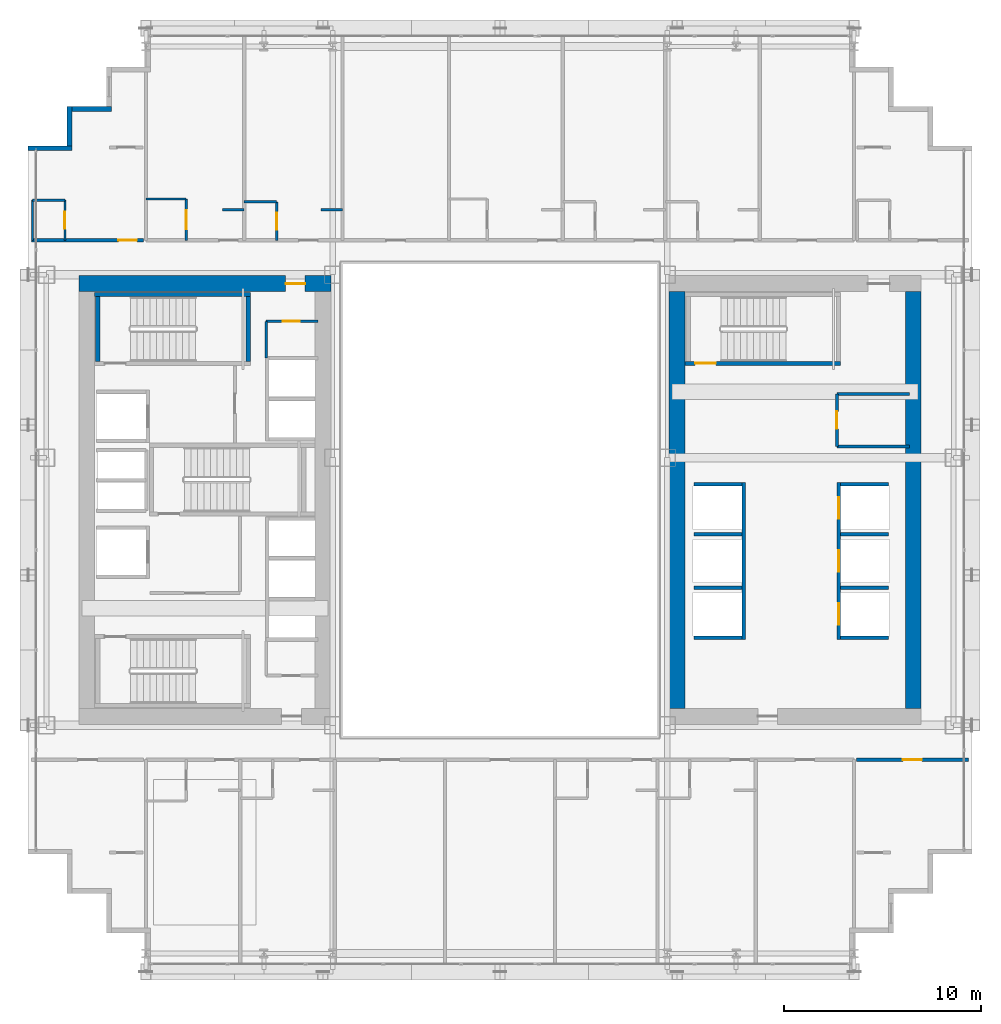
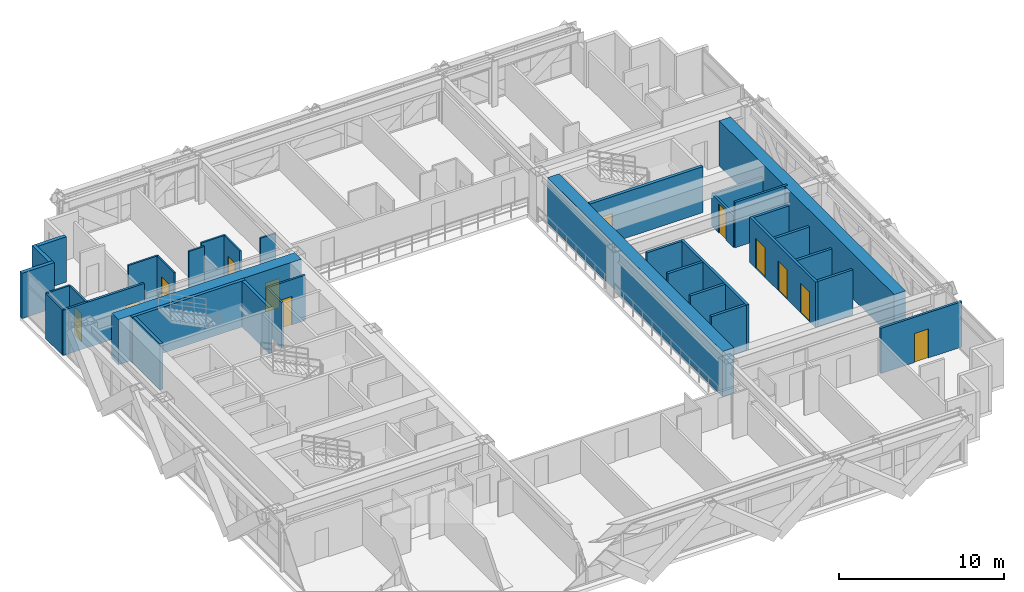
# One storey, part 32 of 38: 36 walls, 12 doors, 12 openings.
"""IFC4 building model written with IfcOpenShell, lengths in metres."""

from ifc_helpers import new_model, si_unit, direction, frame, frame_2d, origin, place, context, subcontext, project, spatial, rectangle, extrude, source, transform, mapped, material, layer, layer_set, type_object, element, fill, save


model = new_model("IFC4")

# Units and contexts
model_context = context("Model", 3, precision=1e-05, world=origin(), true_north=direction((0.0, 1.0)))
body_context = subcontext(model_context, "Body", "Model", "MODEL_VIEW")
ifc_project = project(units=[si_unit("LENGTHUNIT", "METRE"), si_unit("AREAUNIT", "SQUARE_METRE"), si_unit("VOLUMEUNIT", "CUBIC_METRE"), si_unit("PLANEANGLEUNIT", "RADIAN"), si_unit("MASSUNIT", "GRAM", prefix="KILO")], contexts=[model_context])

# Site, building, storey
site_placement = place(None, origin())
site = spatial("IfcSite", under=ifc_project, at=site_placement, CompositionType="ELEMENT")
building_placement = place(site_placement, origin())
building = spatial("IfcBuilding", under=site, at=building_placement, Name="Ocotamira Hotel", CompositionType="ELEMENT")
storey_placement = place(building_placement, frame((0.0, 0.0, 74.39990234375)))
storey = spatial("IfcBuildingStorey", under=building, at=storey_placement, Name="L18", CompositionType="ELEMENT", Elevation=74.39990234375)

# Wall, opening, door
ifc_material_1 = material(Name="Concrete C60/75", Category="concrete")
ifc_layer_1 = layer(ifc_material_1, 0.800048828125)
ifc_layer_set_1 = layer_set([ifc_layer_1], Name="Concrete C60/75")
wall_type_1 = type_object("IfcWallType", Name="WL-CORE-800", PredefinedType="SHEAR", material=ifc_layer_set_1)
wall_1_placement = place(storey_placement, frame((10.60009765625, 37.0, 0.0), z_axis=(0.0, 0.0, 1.0), x_axis=(1.0, 0.0, 0.0)))
wall_1 = element("IfcWall", 1, at=wall_1_placement, inside=storey, type_object=wall_type_1, Name="L18 Shear Core Wall WCORE-N", PredefinedType="SHEAR", context=body_context, shape_type="SweptSolid", body=[
    extrude(rectangle(XDim=12.7998046875, YDim=0.800048828125, at=frame_2d((6.39990234375, 0.0))), origin(), (0.0, 0.0, 1.0), 3.35009765625),
])
opening_1_placement = place(wall_1_placement, frame((10.5, 0.0, 0.0)))
opening_1 = element("IfcOpeningElement", 2, at=opening_1_placement, cuts=wall_1, Name="Opening D-FR2", PredefinedType="OPENING", context=body_context, shape_type="SweptSolid", body=[
    extrude(rectangle(XDim=1.0, YDim=2.14990234375, at=frame_2d((0.5, 1.074951171875))), frame((0.0, 0.41015625, 0.0), z_axis=(0.0, -1.0, 0.0), x_axis=(1.0, 0.0, 0.0)), (0.0, 0.0, 1.0), 0.820068359375),
])
ifc_material_2 = material(Name="Fire-rated acoustic timber-veneer door", Category="wood")
door_type_1 = type_object("IfcDoorType", Name="DR-FIRE-1000", OperationType="NOTDEFINED", PredefinedType="DOOR", material=ifc_material_2)
shared_shape_1 = source(origin(), body_context, "Body", "SweptSolid", [
    extrude(rectangle(XDim=1.0, YDim=2.14990234375, at=frame_2d((0.5, 1.074951171875))), frame((0.0, 0.02490234375, 0.0), z_axis=(0.0, -1.0, 0.0), x_axis=(1.0, 0.0, 0.0)), (0.0, 0.0, 1.0), 0.050048828125),
])
door_1_placement = place(opening_1_placement, origin())
door_1 = element("IfcDoor", 3, at=door_1_placement, inside=storey, type_object=door_type_1, Name="L18 Door ID-L18-WLOB-N-D [ID-L18-WLOB-N-D]", OperationType="SINGLE_SWING_RIGHT", OverallHeight=2.14990234375, OverallWidth=1.0, PredefinedType="DOOR", context=body_context, shape_type="MappedRepresentation", body=[
    mapped(shared_shape_1, transform((0.0, 0.0, 0.0), scale=1.0)),
])
fill(opening_1, door_1)

# Walls
for number, where, z_axis, x_axis, name in (
    (4, (41.0, 15.39990234375, 0.0), (0.0, 0.0, 1.0), (0.0, 1.0, 0.0), "L18 Shear Core Wall ECORE-W"),
    (5, (53.0, 15.39990234375, 0.0), (0.0, 0.0, 1.0), (0.0, 1.0, 0.0), "L18 Shear Core Wall ECORE-E"),
):
    element("IfcWall", number, at=place(storey_placement, frame(where, z_axis=z_axis, x_axis=x_axis)), inside=storey, type_object=wall_type_1, Name=name, PredefinedType="SHEAR", context=body_context, shape_type="SweptSolid", body=[
        extrude(rectangle(XDim=21.2001953125, YDim=0.800048828125, at=frame_2d((10.60009765625, 0.0))), origin(), (0.0, 0.0, 1.0), 3.35009765625),
    ])
ifc_material_3 = material(Name="Precast concrete C45/55", Category="concrete")
ifc_layer_2 = layer(ifc_material_3, 0.25)
ifc_layer_set_2 = layer_set([ifc_layer_2], Name="Precast concrete C45/55")
wall_type_2 = type_object("IfcWallType", Name="WL-EXT-SER-250", PredefinedType="SOLIDWALL", material=ifc_layer_set_2)
for number, where, z_axis, x_axis, name in (
    (6, (12.25, 45.875, 0.0), (0.0, 0.0, 1.0), (-1.0, 0.0, 0.0), "L18 Serrated Corner Wall 16"),
    (7, (10.125, 46.0, 0.0), (0.0, 0.0, 1.0), (0.0, -1.0, 0.0), "L18 Serrated Corner Wall 17"),
):
    element("IfcWall", number, at=place(storey_placement, frame(where, z_axis=z_axis, x_axis=x_axis)), inside=storey, type_object=wall_type_2, Name=name, PredefinedType="SOLIDWALL", context=body_context, shape_type="SweptSolid", body=[
        extrude(rectangle(XDim=2.0, YDim=0.25, at=frame_2d((1.0, 0.0))), origin(), (0.0, 0.0, 1.0), 3.35009765625),
    ])
wall_2_placement = place(storey_placement, frame((10.25, 43.875, 0.0), z_axis=(0.0, 0.0, 1.0), x_axis=(-1.0, 0.0, 0.0)))
element("IfcWall", 8, at=wall_2_placement, inside=storey, type_object=wall_type_2, Name="L18 Serrated Corner Wall 18", PredefinedType="SOLIDWALL", context=body_context, shape_type="SweptSolid", body=[
    extrude(rectangle(XDim=2.25, YDim=0.25, at=frame_2d((1.125, 0.0))), origin(), (0.0, 0.0, 1.0), 3.35009765625),
])
ifc_material_4 = material(Name="Acoustic double-layer fire gypsum board partition", Category="gypsum")
ifc_layer_3 = layer(ifc_material_4, 0.159912109375)
ifc_layer_set_3 = layer_set([ifc_layer_3], Name="Acoustic double-layer fire gypsum board partition")
wall_type_3 = type_object("IfcWallType", Name="WL-FIRE-160", PredefinedType="PARTITIONING", material=ifc_layer_set_3)
wall_3_placement = place(storey_placement, frame((49.1201171875, 28.719970703125, 0.0), z_axis=(0.0, 0.0, 1.0), x_axis=(1.0, 0.0, 0.0)))
element("IfcWall", 9, at=wall_3_placement, inside=storey, type_object=wall_type_3, Name="L18 Interior Wall PW-L18-EC-NEC-S", PredefinedType="PARTITIONING", context=body_context, shape_type="SweptSolid", body=[
    extrude(rectangle(XDim=3.679931640625, YDim=0.159912109375, at=frame_2d((1.83984375, 0.0))), origin(), (0.0, 0.0, 1.0), 3.35009765625),
])
wall_4_placement = place(storey_placement, frame((49.1201171875, 31.3798828125, 0.0), z_axis=(0.0, 0.0, 1.0), x_axis=(1.0, 0.0, 0.0)))
element("IfcWall", 10, at=wall_4_placement, inside=storey, type_object=wall_type_3, Name="L18 Interior Wall PW-L18-EC-NEC-N", PredefinedType="PARTITIONING", context=body_context, shape_type="SweptSolid", body=[
    extrude(rectangle(XDim=3.679931640625, YDim=0.159912109375, at=frame_2d((1.83984375, 0.0))), origin(), (0.0, 0.0, 1.0), 2.360107421875),
])

# Wall, opening, door
wall_5_placement = place(storey_placement, frame((49.1201171875, 28.719970703125, 0.0), z_axis=(0.0, 0.0, 1.0), x_axis=(0.0, 1.0, 0.0)))
wall_5 = element("IfcWall", 11, at=wall_5_placement, inside=storey, type_object=wall_type_3, Name="L18 Interior Wall PW-L18-EC-NEC-W", PredefinedType="PARTITIONING", context=body_context, shape_type="SweptSolid", body=[
    extrude(rectangle(XDim=2.659912109375, YDim=0.159912109375, at=frame_2d((1.330078125, 0.0))), origin(), (0.0, 0.0, 1.0), 2.360107421875),
])
opening_2_placement = place(wall_5_placement, frame((0.89990234375, 0.0, 0.0)))
opening_2 = element("IfcOpeningElement", 12, at=opening_2_placement, cuts=wall_5, Name="Opening D-SV2", PredefinedType="OPENING", context=body_context, shape_type="SweptSolid", body=[
    extrude(rectangle(XDim=0.8798828125, YDim=2.14990234375, at=frame_2d((0.43994140625, 1.074951171875))), frame((0.0, 0.08984375, 0.0), z_axis=(0.0, -1.0, 0.0), x_axis=(1.0, 0.0, 0.0)), (0.0, 0.0, 1.0), 0.179931640625),
])
ifc_material_5 = material(Name="Fire-rated painted steel service door", Category="steel")
door_type_2 = type_object("IfcDoorType", Name="DR-SERV-880", OperationType="NOTDEFINED", PredefinedType="DOOR", material=ifc_material_5)
shared_shape_2 = source(origin(), body_context, "Body", "SweptSolid", [
    extrude(rectangle(XDim=0.8798828125, YDim=2.14990234375, at=frame_2d((0.43994140625, 1.074951171875))), frame((0.0, 0.02490234375, 0.0), z_axis=(0.0, -1.0, 0.0), x_axis=(1.0, 0.0, 0.0)), (0.0, 0.0, 1.0), 0.050048828125),
])
door_2_placement = place(opening_2_placement, origin())
door_2 = element("IfcDoor", 13, at=door_2_placement, inside=storey, type_object=door_type_2, Name="L18 Door ID-L18-EC-NEC-D [ID-L18-EC-NEC-D]", OperationType="SINGLE_SWING_LEFT", OverallHeight=2.14990234375, OverallWidth=0.8798828125, PredefinedType="DOOR", context=body_context, shape_type="MappedRepresentation", body=[
    mapped(shared_shape_2, transform((0.0, 0.0, 0.0), scale=1.0)),
])
fill(opening_2, door_2)

wall_6_placement = place(storey_placement, frame((50.1201171875, 12.800048828125, 0.0), z_axis=(0.0, 0.0, 1.0), x_axis=(1.0, 0.0, 0.0)))
wall_6 = element("IfcWall", 14, at=wall_6_placement, inside=storey, type_object=wall_type_3, Name="L18 Interior Wall PW-L18-Z1D-CSE-CW", PredefinedType="PARTITIONING", context=body_context, shape_type="SweptSolid", body=[
    extrude(rectangle(XDim=5.679931640625, YDim=0.159912109375, at=frame_2d((2.83984375, 0.0))), origin(), (0.0, 0.0, 1.0), 3.35009765625),
])
opening_3_placement = place(wall_6_placement, frame((2.360107421875, 0.0, 0.0)))
opening_3 = element("IfcOpeningElement", 15, at=opening_3_placement, cuts=wall_6, Name="Opening D-SV4", PredefinedType="OPENING", context=body_context, shape_type="SweptSolid", body=[
    extrude(rectangle(XDim=0.9599609375, YDim=2.14990234375, at=frame_2d((0.47998046875, 1.074951171875))), frame((0.0, 0.08984375, 0.0), z_axis=(0.0, -1.0, 0.0), x_axis=(1.0, 0.0, 0.0)), (0.0, 0.0, 1.0), 0.179931640625),
])
ifc_material_6 = material(Name="Fire-rated accessible walnut salon door", Category="wood")
door_type_3 = type_object("IfcDoorType", Name="DR-SERV-960", OperationType="NOTDEFINED", PredefinedType="DOOR", material=ifc_material_6)
shared_shape_3 = source(origin(), body_context, "Body", "SweptSolid", [
    extrude(rectangle(XDim=0.9599609375, YDim=2.14990234375, at=frame_2d((0.47998046875, 1.074951171875))), frame((0.0, 0.02490234375, 0.0), z_axis=(0.0, -1.0, 0.0), x_axis=(1.0, 0.0, 0.0)), (0.0, 0.0, 1.0), 0.050048828125),
])
door_3_placement = place(opening_3_placement, origin())
door_3 = element("IfcDoor", 16, at=door_3_placement, inside=storey, type_object=door_type_3, Name="L18 Door ID-L18-Z1D-CSE-CD [ID-L18-Z1D-CSE-CD]", OperationType="SINGLE_SWING_LEFT", OverallHeight=2.14990234375, OverallWidth=0.9599609375, PredefinedType="DOOR", context=body_context, shape_type="MappedRepresentation", body=[
    mapped(shared_shape_3, transform((0.0, 0.0, 0.0), scale=1.0)),
])
fill(opening_3, door_3)

wall_7_placement = place(storey_placement, frame((8.199951171875, 39.199951171875, 0.0), z_axis=(0.0, 0.0, 1.0), x_axis=(1.0, 0.0, 0.0)))
wall_7 = element("IfcWall", 17, at=wall_7_placement, inside=storey, type_object=wall_type_3, Name="L18 Interior Wall PW-L18-Z1D-CNW-CW", PredefinedType="PARTITIONING", context=body_context, shape_type="SweptSolid", body=[
    extrude(rectangle(XDim=5.679931640625, YDim=0.159912109375, at=frame_2d((2.83984375, 0.0))), origin(), (0.0, 0.0, 1.0), 3.35009765625),
])
opening_4_placement = place(wall_7_placement, frame((4.39990234375, 0.0, 0.0)))
opening_4 = element("IfcOpeningElement", 18, at=opening_4_placement, cuts=wall_7, Name="Opening D-GR1", PredefinedType="OPENING", context=body_context, shape_type="SweptSolid", body=[
    extrude(rectangle(XDim=0.93994140625, YDim=2.14990234375, at=frame_2d((0.469970703125, 1.074951171875))), frame((0.0, 0.08984375, 0.0), z_axis=(0.0, -1.0, 0.0), x_axis=(1.0, 0.0, 0.0)), (0.0, 0.0, 1.0), 0.179931640625),
])
ifc_material_7 = material(Name="Solid-core walnut suite entrance fire door", Category="wood")
door_type_4 = type_object("IfcDoorType", Name="DR-GUEST-940", OperationType="NOTDEFINED", PredefinedType="DOOR", material=ifc_material_7)
shared_shape_4 = source(origin(), body_context, "Body", "SweptSolid", [
    extrude(rectangle(XDim=0.93994140625, YDim=2.14990234375, at=frame_2d((0.469970703125, 1.074951171875))), frame((0.0, 0.02490234375, 0.0), z_axis=(0.0, -1.0, 0.0), x_axis=(1.0, 0.0, 0.0)), (0.0, 0.0, 1.0), 0.050048828125),
])
door_4_placement = place(opening_4_placement, origin())
door_4 = element("IfcDoor", 19, at=door_4_placement, inside=storey, type_object=door_type_4, Name="L18 Door ID-L18-Z1D-CNW-CD [ID-L18-Z1D-CNW-CD]", OperationType="SINGLE_SWING_RIGHT", OverallHeight=2.14990234375, OverallWidth=0.93994140625, PredefinedType="DOOR", context=body_context, shape_type="MappedRepresentation", body=[
    mapped(shared_shape_4, transform((0.0, 0.0, 0.0), scale=1.0)),
])
fill(opening_4, door_4)

ifc_material_8 = material(Name="Moisture-resistant en-suite tile and gypsum partition", Category="gypsum")
ifc_layer_4 = layer(ifc_material_8, 0.1201171875)
ifc_layer_set_4 = layer_set([ifc_layer_4], Name="Moisture-resistant en-suite tile and gypsum partition")
wall_type_4 = type_object("IfcWallType", Name="WL-PART-120", PredefinedType="PARTITIONING", material=ifc_layer_set_4)
wall_8_placement = place(storey_placement, frame((9.889892578125, 39.199951171875, 0.0), z_axis=(0.0, 0.0, 1.0), x_axis=(0.0, 1.0, 0.0)))
wall_8 = element("IfcWall", 20, at=wall_8_placement, inside=storey, type_object=wall_type_4, Name="L18 Interior Wall PW-L18-Z1D-CNW-BE", PredefinedType="PARTITIONING", context=body_context, shape_type="SweptSolid", body=[
    extrude(rectangle(XDim=2.0400390625, YDim=0.1201171875, at=frame_2d((1.02001953125, 0.0))), origin(), (0.0, 0.0, 1.0), 3.35009765625),
])
opening_5_placement = place(wall_8_placement, frame((0.590087890625, 0.0, 0.0)))
opening_5 = element("IfcOpeningElement", 21, at=opening_5_placement, cuts=wall_8, Name="Opening D-BA1", PredefinedType="OPENING", context=body_context, shape_type="SweptSolid", body=[
    extrude(rectangle(XDim=0.860107421875, YDim=2.10009765625, at=frame_2d((0.43017578125, 1.050048828125))), frame((0.0, 0.070068359375, 0.0), z_axis=(0.0, -1.0, 0.0), x_axis=(1.0, 0.0, 0.0)), (0.0, 0.0, 1.0), 0.14013671875),
])
ifc_material_9 = material(Name="Moisture-sealed en-suite timber door", Category="wood")
door_type_5 = type_object("IfcDoorType", Name="DR-BATH-860", OperationType="NOTDEFINED", PredefinedType="DOOR", material=ifc_material_9)
shared_shape_5 = source(origin(), body_context, "Body", "SweptSolid", [
    extrude(rectangle(XDim=0.860107421875, YDim=2.10009765625, at=frame_2d((0.43017578125, 1.050048828125))), frame((0.0, 0.02490234375, 0.0), z_axis=(0.0, -1.0, 0.0), x_axis=(1.0, 0.0, 0.0)), (0.0, 0.0, 1.0), 0.050048828125),
])
door_5_placement = place(opening_5_placement, origin())
door_5 = element("IfcDoor", 22, at=door_5_placement, inside=storey, type_object=door_type_5, Name="L18 Door ID-L18-Z1D-CNW-BD [ID-L18-Z1D-CNW-BD]", OperationType="SINGLE_SWING_LEFT", OverallHeight=2.10009765625, OverallWidth=0.860107421875, PredefinedType="DOOR", context=body_context, shape_type="MappedRepresentation", body=[
    mapped(shared_shape_5, transform((0.0, 0.0, 0.0), scale=1.0)),
])
fill(opening_5, door_5)

# Walls
wall_9_placement = place(storey_placement, frame((8.239990234375, 39.199951171875, 0.0), z_axis=(0.0, 0.0, 1.0), x_axis=(0.0, 1.0, 0.0)))
element("IfcWall", 23, at=wall_9_placement, inside=storey, type_object=wall_type_4, Name="L18 Interior Wall PW-L18-Z1D-CNW-BW", PredefinedType="PARTITIONING", context=body_context, shape_type="SweptSolid", body=[
    extrude(rectangle(XDim=2.0400390625, YDim=0.1201171875, at=frame_2d((1.02001953125, 0.0))), origin(), (0.0, 0.0, 1.0), 3.35009765625),
])
wall_10_placement = place(storey_placement, frame((8.239990234375, 41.239990234375, 0.0), z_axis=(0.0, 0.0, 1.0), x_axis=(1.0, 0.0, 0.0)))
element("IfcWall", 24, at=wall_10_placement, inside=storey, type_object=wall_type_4, Name="L18 Interior Wall PW-L18-Z1D-CNW-BH", PredefinedType="PARTITIONING", context=body_context, shape_type="SweptSolid", body=[
    extrude(rectangle(XDim=1.64990234375, YDim=0.1201171875, at=frame_2d((0.824951171875, 0.0))), origin(), (0.0, 0.0, 1.0), 3.35009765625),
])

# Wall, opening, door
wall_11_placement = place(storey_placement, frame((16.050048828125, 39.199951171875, 0.0), z_axis=(0.0, 0.0, 1.0), x_axis=(0.0, 1.0, 0.0)))
wall_11 = element("IfcWall", 25, at=wall_11_placement, inside=storey, type_object=wall_type_4, Name="L18 Interior Wall PW-L18-Z1DN-BAE1", PredefinedType="PARTITIONING", context=body_context, shape_type="SweptSolid", body=[
    extrude(rectangle(XDim=2.10009765625, YDim=0.1201171875, at=frame_2d((1.050048828125, 0.0))), origin(), (0.0, 0.0, 1.0), 3.35009765625),
])
opening_6_placement = place(wall_11_placement, frame((0.570068359375, 0.0, 0.0)))
opening_6 = element("IfcOpeningElement", 26, at=opening_6_placement, cuts=wall_11, Name="Opening D-IN1", PredefinedType="OPENING", context=body_context, shape_type="SweptSolid", body=[
    extrude(rectangle(XDim=0.9599609375, YDim=2.14990234375, at=frame_2d((0.47998046875, 1.074951171875))), frame((0.0, 0.070068359375, 0.0), z_axis=(0.0, -1.0, 0.0), x_axis=(1.0, 0.0, 0.0)), (0.0, 0.0, 1.0), 0.14013671875),
])
ifc_material_10 = material(Name="Accessible walnut interior room door", Category="wood")
door_type_6 = type_object("IfcDoorType", Name="DR-INT-960", OperationType="NOTDEFINED", PredefinedType="DOOR", material=ifc_material_10)
door_6_placement = place(opening_6_placement, origin())
door_6 = element("IfcDoor", 27, at=door_6_placement, inside=storey, type_object=door_type_6, Name="L18 Door ID-L18-Z1DN-BAD1 [ID-L18-Z1DN-BAD1]", OperationType="SINGLE_SWING_RIGHT", OverallHeight=2.14990234375, OverallWidth=0.9599609375, PredefinedType="DOOR", context=body_context, shape_type="MappedRepresentation", body=[
    mapped(shared_shape_3, transform((0.0, 0.0, 0.0), scale=1.0)),
])
fill(opening_6, door_6)

# Walls
wall_12_placement = place(storey_placement, frame((14.0, 41.300048828125, 0.0), z_axis=(0.0, 0.0, 1.0), x_axis=(1.0, 0.0, 0.0)))
element("IfcWall", 28, at=wall_12_placement, inside=storey, type_object=wall_type_4, Name="L18 Interior Wall PW-L18-Z1DN-BAN1", PredefinedType="PARTITIONING", context=body_context, shape_type="SweptSolid", body=[
    extrude(rectangle(XDim=2.050048828125, YDim=0.1201171875, at=frame_2d((1.02490234375, 0.0))), origin(), (0.0, 0.0, 1.0), 3.35009765625),
])
wall_13_placement = place(storey_placement, frame((17.89990234375, 40.75, 0.0), z_axis=(0.0, 0.0, 1.0), x_axis=(1.0, 0.0, 0.0)))
element("IfcWall", 29, at=wall_13_placement, inside=storey, type_object=wall_type_4, Name="L18 Interior Wall PW-L18-Z1DN-DRN1", PredefinedType="PARTITIONING", context=body_context, shape_type="SweptSolid", body=[
    extrude(rectangle(XDim=1.10009765625, YDim=0.1201171875, at=frame_2d((0.550048828125, 0.0))), origin(), (0.0, 0.0, 1.0), 3.35009765625),
])

# Wall, opening, door
wall_14_placement = place(storey_placement, frame((20.64990234375, 39.199951171875, 0.0), z_axis=(0.0, 0.0, 1.0), x_axis=(0.0, 1.0, 0.0)))
wall_14 = element("IfcWall", 30, at=wall_14_placement, inside=storey, type_object=wall_type_4, Name="L18 Interior Wall PW-L18-Z1DN-BAE2", PredefinedType="PARTITIONING", context=body_context, shape_type="SweptSolid", body=[
    extrude(rectangle(XDim=1.949951171875, YDim=0.1201171875, at=frame_2d((0.97509765625, 0.0))), origin(), (0.0, 0.0, 1.0), 3.35009765625),
])
opening_7_placement = place(wall_14_placement, frame((0.544921875, 0.0, 0.0)))
opening_7 = element("IfcOpeningElement", 31, at=opening_7_placement, cuts=wall_14, Name="Opening D-BA1", PredefinedType="OPENING", context=body_context, shape_type="SweptSolid", body=[
    extrude(rectangle(XDim=0.860107421875, YDim=2.10009765625, at=frame_2d((0.43017578125, 1.050048828125))), frame((0.0, 0.070068359375, 0.0), z_axis=(0.0, -1.0, 0.0), x_axis=(1.0, 0.0, 0.0)), (0.0, 0.0, 1.0), 0.14013671875),
])
door_7_placement = place(opening_7_placement, origin())
door_7 = element("IfcDoor", 32, at=door_7_placement, inside=storey, type_object=door_type_5, Name="L18 Door ID-L18-Z1DN-BAD2 [ID-L18-Z1DN-BAD2]", OperationType="SINGLE_SWING_LEFT", OverallHeight=2.10009765625, OverallWidth=0.860107421875, PredefinedType="DOOR", context=body_context, shape_type="MappedRepresentation", body=[
    mapped(shared_shape_5, transform((0.0, 0.0, 0.0), scale=1.0)),
])
fill(opening_7, door_7)

# Walls
wall_15_placement = place(storey_placement, frame((19.0, 41.14990234375, 0.0), z_axis=(0.0, 0.0, 1.0), x_axis=(1.0, 0.0, 0.0)))
element("IfcWall", 33, at=wall_15_placement, inside=storey, type_object=wall_type_4, Name="L18 Interior Wall PW-L18-Z1DN-BAN2", PredefinedType="PARTITIONING", context=body_context, shape_type="SweptSolid", body=[
    extrude(rectangle(XDim=1.64990234375, YDim=0.1201171875, at=frame_2d((0.824951171875, 0.0))), origin(), (0.0, 0.0, 1.0), 3.35009765625),
])
wall_16_placement = place(storey_placement, frame((22.89990234375, 40.75, 0.0), z_axis=(0.0, 0.0, 1.0), x_axis=(1.0, 0.0, 0.0)))
element("IfcWall", 34, at=wall_16_placement, inside=storey, type_object=wall_type_4, Name="L18 Interior Wall PW-L18-Z1DN-DRN2", PredefinedType="PARTITIONING", context=body_context, shape_type="SweptSolid", body=[
    extrude(rectangle(XDim=1.10009765625, YDim=0.1201171875, at=frame_2d((0.550048828125, 0.0))), origin(), (0.0, 0.0, 1.0), 2.571044921875),
])
ifc_material_11 = material(Name="Acoustic hospitality gypsum board partition", Category="gypsum")
ifc_layer_5 = layer(ifc_material_11, 0.14208984375)
ifc_layer_set_5 = layer_set([ifc_layer_5], Name="Acoustic hospitality gypsum board partition")
wall_type_5 = type_object("IfcWallType", Name="WL-PART-142", PredefinedType="PARTITIONING", material=ifc_layer_set_5)
wall_17_placement = place(storey_placement, frame((20.1201171875, 33.219970703125, 0.0), z_axis=(0.0, 0.0, 1.0), x_axis=(0.0, 1.0, 0.0)))
element("IfcWall", 35, at=wall_17_placement, inside=storey, type_object=wall_type_5, Name="L18 Interior Wall PW-L18-WC-NE-W2", PredefinedType="PARTITIONING", context=body_context, shape_type="SweptSolid", body=[
    extrude(rectangle(XDim=1.860107421875, YDim=0.14208984375, at=frame_2d((0.93017578125, 0.0))), origin(), (0.0, 0.0, 1.0), 3.35009765625),
])

# Wall, opening, door
wall_18_placement = place(storey_placement, frame((20.1201171875, 35.080078125, 0.0), z_axis=(0.0, 0.0, 1.0), x_axis=(1.0, 0.0, 0.0)))
wall_18 = element("IfcWall", 36, at=wall_18_placement, inside=storey, type_object=wall_type_5, Name="L18 Interior Wall PW-L18-WC-NE-N2", PredefinedType="PARTITIONING", context=body_context, shape_type="SweptSolid", body=[
    extrude(rectangle(XDim=2.6298828125, YDim=0.14208984375, at=frame_2d((1.31494140625, 0.0))), origin(), (0.0, 0.0, 1.0), 3.35009765625),
])
opening_8_placement = place(wall_18_placement, frame((0.85009765625, 0.0, 0.0)))
opening_8 = element("IfcOpeningElement", 37, at=opening_8_placement, cuts=wall_18, Name="Opening D-SV1", PredefinedType="OPENING", context=body_context, shape_type="SweptSolid", body=[
    extrude(rectangle(XDim=0.840087890625, YDim=2.10009765625, at=frame_2d((0.419921875, 1.050048828125))), frame((0.0, 0.0810546875, 0.0), z_axis=(0.0, -1.0, 0.0), x_axis=(1.0, 0.0, 0.0)), (0.0, 0.0, 1.0), 0.162109375),
])
door_type_7 = type_object("IfcDoorType", Name="DR-SERV-840", OperationType="NOTDEFINED", PredefinedType="DOOR", material=ifc_material_5)
shared_shape_6 = source(origin(), body_context, "Body", "SweptSolid", [
    extrude(rectangle(XDim=0.840087890625, YDim=2.10009765625, at=frame_2d((0.419921875, 1.050048828125))), frame((0.0, 0.02490234375, 0.0), z_axis=(0.0, -1.0, 0.0), x_axis=(1.0, 0.0, 0.0)), (0.0, 0.0, 1.0), 0.050048828125),
])
door_8_placement = place(opening_8_placement, origin())
door_8 = element("IfcDoor", 38, at=door_8_placement, inside=storey, type_object=door_type_7, Name="L18 Door ID-L18-WC-NE-D2 [ID-L18-WC-NE-D2]", OperationType="SINGLE_SWING_RIGHT", OverallHeight=2.10009765625, OverallWidth=0.840087890625, PredefinedType="DOOR", context=body_context, shape_type="MappedRepresentation", body=[
    mapped(shared_shape_6, transform((0.0, 0.0, 0.0), scale=1.0)),
])
fill(opening_8, door_8)

# Wall, openings, doors
ifc_material_12 = material(Name="Fire-rated gypsum shaftliner board assembly", Category="gypsum")
ifc_layer_6 = layer(ifc_material_12, 0.179931640625)
ifc_layer_set_6 = layer_set([ifc_layer_6], Name="Fire-rated gypsum shaftliner board assembly")
wall_type_6 = type_object("IfcWallType", Name="WL-SHAFT-180", PredefinedType="SOLIDWALL", material=ifc_layer_set_6)
wall_19_placement = place(storey_placement, frame((49.2099609375, 18.919921875, 0.0), z_axis=(0.0, 0.0, 1.0), x_axis=(0.0, 1.0, 0.0)))
wall_19 = element("IfcWall", 39, at=wall_19_placement, inside=storey, type_object=wall_type_6, Name="L18 Interior Wall PW-L18-LFW-BANK-low-F", PredefinedType="SOLIDWALL", context=body_context, shape_type="SweptSolid", body=[
    extrude(rectangle(XDim=7.9599609375, YDim=0.179931640625, at=frame_2d((3.97998046875, 0.0))), origin(), (0.0, 0.0, 1.0), 3.35009765625),
])
opening_9_placement = place(wall_19_placement, frame((0.72998046875, 0.0, 0.0)))
opening_9 = element("IfcOpeningElement", 40, at=opening_9_placement, cuts=wall_19, Name="Opening LD-LF-P1", PredefinedType="OPENING", context=body_context, shape_type="SweptSolid", body=[
    extrude(rectangle(XDim=1.10009765625, YDim=2.199951171875, at=frame_2d((0.550048828125, 1.10009765625))), frame((0.0, 0.10009765625, 0.0), z_axis=(0.0, -1.0, 0.0), x_axis=(1.0, 0.0, 0.0)), (0.0, 0.0, 1.0), 0.199951171875),
])
opening_10_placement = place(wall_19_placement, frame((3.429931640625, 0.0, 0.0)))
opening_10 = element("IfcOpeningElement", 41, at=opening_10_placement, cuts=wall_19, Name="Opening LD-LF-P2", PredefinedType="OPENING", context=body_context, shape_type="SweptSolid", body=[
    extrude(rectangle(XDim=1.10009765625, YDim=2.199951171875, at=frame_2d((0.550048828125, 1.10009765625))), frame((0.0, 0.10009765625, 0.0), z_axis=(0.0, -1.0, 0.0), x_axis=(1.0, 0.0, 0.0)), (0.0, 0.0, 1.0), 0.199951171875),
])
opening_11_placement = place(wall_19_placement, frame((6.1298828125, 0.0, 0.0)))
opening_11 = element("IfcOpeningElement", 42, at=opening_11_placement, cuts=wall_19, Name="Opening LD-LF-P3", PredefinedType="OPENING", context=body_context, shape_type="SweptSolid", body=[
    extrude(rectangle(XDim=1.10009765625, YDim=2.199951171875, at=frame_2d((0.550048828125, 1.10009765625))), frame((0.0, 0.10009765625, 0.0), z_axis=(0.0, -1.0, 0.0), x_axis=(1.0, 0.0, 0.0)), (0.0, 0.0, 1.0), 0.199951171875),
])
ifc_material_13 = material(Name="Brushed pale-metal stainless elevator landing door", Category="steel")
door_type_8 = type_object("IfcDoorType", Name="DR-LIFT-1100", OperationType="NOTDEFINED", PredefinedType="DOOR", material=ifc_material_13)
shared_shape_7 = source(origin(), body_context, "Body", "SweptSolid", [
    extrude(rectangle(XDim=1.10009765625, YDim=2.199951171875, at=frame_2d((0.550048828125, 1.10009765625))), frame((0.0, 0.02490234375, 0.0), z_axis=(0.0, -1.0, 0.0), x_axis=(1.0, 0.0, 0.0)), (0.0, 0.0, 1.0), 0.050048828125),
])
door_9_placement = place(opening_9_placement, origin())
door_9 = element("IfcDoor", 43, at=door_9_placement, inside=storey, type_object=door_type_8, Name="L18 Landing Door LD-LF-P1 [ID-L18-LD-LF-P1]", OperationType="DOUBLE_DOOR_SLIDING", OverallHeight=2.199951171875, OverallWidth=1.10009765625, PredefinedType="DOOR", context=body_context, shape_type="MappedRepresentation", body=[
    mapped(shared_shape_7, transform((0.0, 0.0, 0.0), scale=1.0)),
])
fill(opening_9, door_9)
door_10_placement = place(opening_10_placement, origin())
door_10 = element("IfcDoor", 44, at=door_10_placement, inside=storey, type_object=door_type_8, Name="L18 Landing Door LD-LF-P2 [ID-L18-LD-LF-P2]", OperationType="DOUBLE_DOOR_SLIDING", OverallHeight=2.199951171875, OverallWidth=1.10009765625, PredefinedType="DOOR", context=body_context, shape_type="MappedRepresentation", body=[
    mapped(shared_shape_7, transform((0.0, 0.0, 0.0), scale=1.0)),
])
fill(opening_10, door_10)
door_11_placement = place(opening_11_placement, origin())
door_11 = element("IfcDoor", 45, at=door_11_placement, inside=storey, type_object=door_type_8, Name="L18 Landing Door LD-LF-P3 [ID-L18-LD-LF-P3]", OperationType="DOUBLE_DOOR_SLIDING", OverallHeight=2.199951171875, OverallWidth=1.10009765625, PredefinedType="DOOR", context=body_context, shape_type="MappedRepresentation", body=[
    mapped(shared_shape_7, transform((0.0, 0.0, 0.0), scale=1.0)),
])
fill(opening_11, door_11)

# Walls
for number, where, z_axis, x_axis, name in (
    (46, (49.300048828125, 19.010009765625, 0.0), (0.0, 0.0, 1.0), (1.0, 0.0, 0.0), "L18 Interior Wall PW-L18-LFW-BANK-low-S"),
    (47, (49.300048828125, 26.7900390625, 0.0), (0.0, 0.0, 1.0), (1.0, 0.0, 0.0), "L18 Interior Wall PW-L18-LFW-BANK-low-N"),
    (48, (49.300048828125, 21.550048828125, 0.0), (0.0, 0.0, 1.0), (1.0, 0.0, 0.0), "L18 Interior Wall PW-L18-LFW-DIV-LF-P1"),
    (49, (49.300048828125, 24.25, 0.0), (0.0, 0.0, 1.0), (1.0, 0.0, 0.0), "L18 Interior Wall PW-L18-LFW-DIV-LF-P2"),
):
    element("IfcWall", number, at=place(storey_placement, frame(where, z_axis=z_axis, x_axis=x_axis)), inside=storey, type_object=wall_type_6, Name=name, PredefinedType="SOLIDWALL", context=body_context, shape_type="SweptSolid", body=[
        extrude(rectangle(XDim=2.449951171875, YDim=0.179931640625, at=frame_2d((1.22509765625, 0.0))), origin(), (0.0, 0.0, 1.0), 3.35009765625),
    ])
wall_20_placement = place(storey_placement, frame((44.389892578125, 18.919921875, 0.0), z_axis=(0.0, 0.0, 1.0), x_axis=(0.0, 1.0, 0.0)))
element("IfcWall", 50, at=wall_20_placement, inside=storey, type_object=wall_type_6, Name="L18 Interior Wall PW-L18-LFW-BANK-mid-F", PredefinedType="SOLIDWALL", context=body_context, shape_type="SweptSolid", body=[
    extrude(rectangle(XDim=7.9599609375, YDim=0.179931640625, at=frame_2d((3.97998046875, 0.0))), origin(), (0.0, 0.0, 1.0), 3.35009765625),
])
for number, where, z_axis, x_axis, name in (
    (51, (41.85009765625, 19.010009765625, 0.0), (0.0, 0.0, 1.0), (1.0, 0.0, 0.0), "L18 Interior Wall PW-L18-LFW-BANK-mid-S"),
    (52, (41.85009765625, 26.7900390625, 0.0), (0.0, 0.0, 1.0), (1.0, 0.0, 0.0), "L18 Interior Wall PW-L18-LFW-BANK-mid-N"),
    (53, (41.85009765625, 21.550048828125, 0.0), (0.0, 0.0, 1.0), (1.0, 0.0, 0.0), "L18 Interior Wall PW-L18-LFW-DIV-LF-P4"),
    (54, (41.85009765625, 24.25, 0.0), (0.0, 0.0, 1.0), (1.0, 0.0, 0.0), "L18 Interior Wall PW-L18-LFW-DIV-LF-P5"),
):
    element("IfcWall", number, at=place(storey_placement, frame(where, z_axis=z_axis, x_axis=x_axis)), inside=storey, type_object=wall_type_6, Name=name, PredefinedType="SOLIDWALL", context=body_context, shape_type="SweptSolid", body=[
        extrude(rectangle(XDim=2.449951171875, YDim=0.179931640625, at=frame_2d((1.22509765625, 0.0))), origin(), (0.0, 0.0, 1.0), 3.35009765625),
    ])
ifc_material_14 = material(Name="Concrete C50/60", Category="concrete")
ifc_layer_7 = layer(ifc_material_14, 0.219970703125)
ifc_layer_set_7 = layer_set([ifc_layer_7], Name="Concrete C50/60")
wall_type_7 = type_object("IfcWallType", Name="WL-STAIR-220", PredefinedType="SHEAR", material=ifc_layer_set_7)
wall_21_placement = place(storey_placement, frame((11.39990234375, 36.43994140625, 0.0), z_axis=(0.0, 0.0, 1.0), x_axis=(1.0, 0.0, 0.0)))
element("IfcWall", 55, at=wall_21_placement, inside=storey, type_object=wall_type_7, Name="L18 Stair Shaft Structural Wall ST-2-N", PredefinedType="SHEAR", context=body_context, shape_type="SweptSolid", body=[
    extrude(rectangle(XDim=7.91015625, YDim=0.219970703125, at=frame_2d((3.955078125, 0.0))), origin(), (0.0, 0.0, 1.0), 3.400146484375),
])
for number, where, z_axis, x_axis, name in (
    (56, (11.56005859375, 33.050048828125, 0.0), (0.0, 0.0, 1.0), (0.0, 1.0, 0.0), "L18 Stair Shaft Structural Wall ST-2-W"),
    (57, (19.199951171875, 33.050048828125, 0.0), (0.0, 0.0, 1.0), (0.0, 1.0, 0.0), "L18 Stair Shaft Structural Wall ST-2-E"),
):
    element("IfcWall", number, at=place(storey_placement, frame(where, z_axis=z_axis, x_axis=x_axis)), inside=storey, type_object=wall_type_7, Name=name, PredefinedType="SHEAR", context=body_context, shape_type="SweptSolid", body=[
        extrude(rectangle(XDim=3.280029296875, YDim=0.219970703125, at=frame_2d((1.64013671875, 0.0))), origin(), (0.0, 0.0, 1.0), 3.400146484375),
    ])

# Wall, opening, door
wall_22_placement = place(storey_placement, frame((41.39990234375, 32.93994140625, 0.0), z_axis=(0.0, 0.0, 1.0), x_axis=(1.0, 0.0, 0.0)))
wall_22 = element("IfcWall", 58, at=wall_22_placement, inside=storey, type_object=wall_type_7, Name="L18 Stair Shaft Structural Wall ST-4-S", PredefinedType="SHEAR", context=body_context, shape_type="SweptSolid", body=[
    extrude(rectangle(XDim=7.91015625, YDim=0.219970703125, at=frame_2d((3.955078125, 0.0))), origin(), (0.0, 0.0, 1.0), 3.400146484375),
])
opening_12_placement = place(wall_22_placement, frame((0.52001953125, 0.0, 0.0)))
opening_12 = element("IfcOpeningElement", 59, at=opening_12_placement, cuts=wall_22, Name="Opening D-ST2", PredefinedType="OPENING", context=body_context, shape_type="SweptSolid", body=[
    extrude(rectangle(XDim=1.050048828125, YDim=2.14990234375, at=frame_2d((0.52490234375, 1.074951171875))), frame((0.0, 0.1201171875, 0.0), z_axis=(0.0, -1.0, 0.0), x_axis=(1.0, 0.0, 0.0)), (0.0, 0.0, 1.0), 0.239990234375),
])
ifc_material_15 = material(Name="Insulated painted hollow-metal fire exit door", Category="steel")
door_type_9 = type_object("IfcDoorType", Name="DR-STAIR-1050", OperationType="NOTDEFINED", PredefinedType="DOOR", material=ifc_material_15)
shared_shape_8 = source(origin(), body_context, "Body", "SweptSolid", [
    extrude(rectangle(XDim=1.050048828125, YDim=2.14990234375, at=frame_2d((0.52490234375, 1.074951171875))), frame((0.0, 0.02490234375, 0.0), z_axis=(0.0, -1.0, 0.0), x_axis=(1.0, 0.0, 0.0)), (0.0, 0.0, 1.0), 0.050048828125),
])
door_12_placement = place(opening_12_placement, origin())
door_12 = element("IfcDoor", 60, at=door_12_placement, inside=storey, type_object=door_type_9, Name="L18 Door ID-L18-STD-ST-4 [ID-L18-STD-ST-4]", OperationType="SINGLE_SWING_RIGHT", OverallHeight=2.14990234375, OverallWidth=1.050048828125, PredefinedType="DOOR", context=body_context, shape_type="MappedRepresentation", body=[
    mapped(shared_shape_8, transform((0.0, 0.0, 0.0), scale=1.0)),
])
fill(opening_12, door_12)

save(model, "model.ifc")
